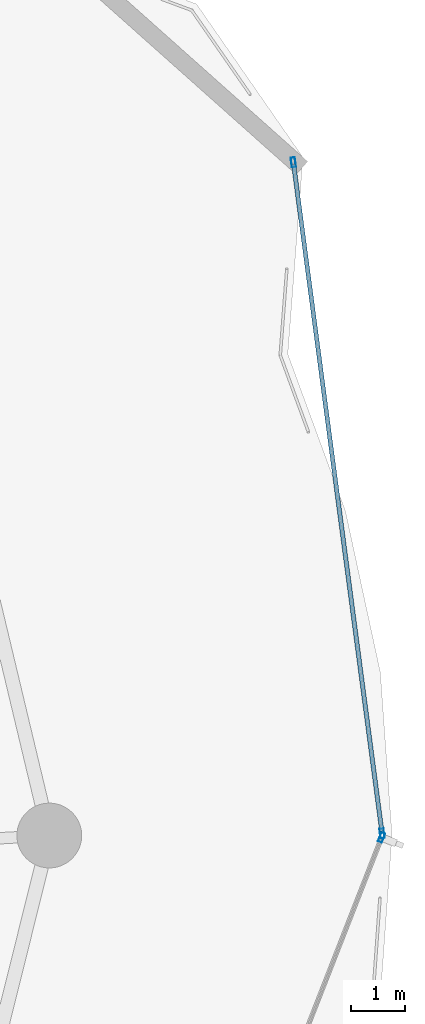
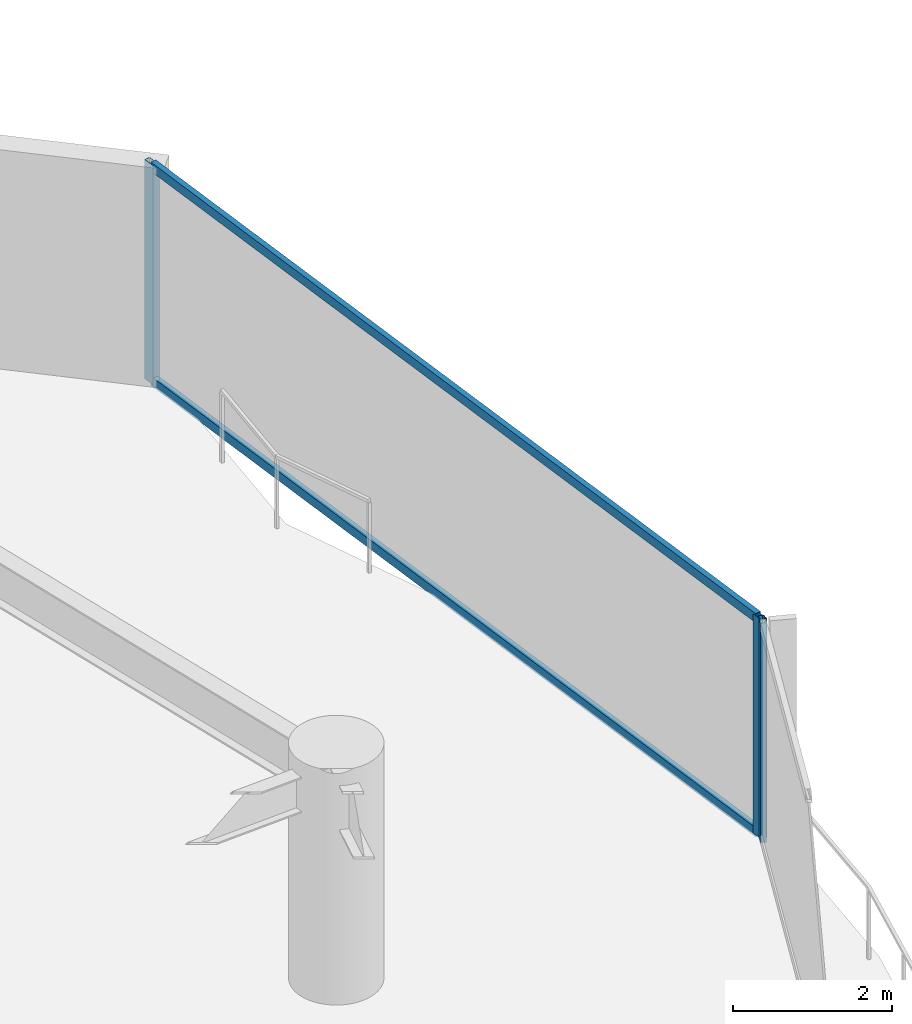
# One storey, part 24 of 33: 5 members, 2 elements without a shape of their own.
"""IFC4 building model written with IfcOpenShell, lengths in metres."""

from ifc_helpers import new_model, si_unit, direction, frame, origin, origin_2d, place, context, subcontext, project, spatial, hollow_rectangle, extrude, material, layer, layer_set, material_profile, profile_set, type_object, element, aggregate, save


model = new_model("IFC4")

# Units and contexts
model_context = context("Model", 3, precision=1e-05, world=origin(), true_north=direction((0.0, 1.0)))
body_context = subcontext(model_context, "Body", "Model", "MODEL_VIEW")
ifc_project = project(units=[si_unit("LENGTHUNIT", "METRE"), si_unit("AREAUNIT", "SQUARE_METRE"), si_unit("VOLUMEUNIT", "CUBIC_METRE"), si_unit("PLANEANGLEUNIT", "RADIAN"), si_unit("MASSUNIT", "GRAM", prefix="KILO")], contexts=[model_context])

# Site, building, storey
site_placement = place(None, origin())
site = spatial("IfcSite", under=ifc_project, at=site_placement, CompositionType="ELEMENT")
building_placement = place(site_placement, origin())
building = spatial("IfcBuilding", under=site, at=building_placement, Name="Kazevale Care Tower and Concert Hall", CompositionType="ELEMENT")
storey_placement = place(building_placement, frame((0.0, 0.0, 153.0)))
storey = spatial("IfcBuildingStorey", under=building, at=storey_placement, Name="L40", CompositionType="ELEMENT", Elevation=153.0)

# Curtain wall, member
ifc_material_1 = material(Name="Aluminium 6063-T6 and Low-E Glass", Category="aluminium")
ifc_layer = layer(ifc_material_1, 0.179931640625)
ifc_layer_set = layer_set([ifc_layer], Name="Aluminium 6063-T6 and Low-E Glass")
curtain_wall_type = type_object("IfcCurtainWallType", Name="Waist & Upper Residential Curtain Wall CW-4", PredefinedType="NOTDEFINED", material=ifc_layer_set)
curtain_wall_1_placement = place(storey_placement, origin())
curtain_wall_1 = element("IfcCurtainWall", 1, at=curtain_wall_1_placement, inside=storey, type_object=curtain_wall_type, Name="cw:L40:f01", PredefinedType="NOTDEFINED")
ifc_material_2 = material(Name="Aluminium 6063-T6", Category="aluminium")
ifc_material_profile_1 = material_profile(ifc_material_2, hollow_rectangle(XDim=0.080078125, YDim=0.179931640625, WallThickness=0.0048828125, at=origin_2d()), Name="ALU80x180x5")
ifc_profile_set_1 = profile_set([ifc_material_profile_1], Name="Aluminium 6063-T6")
member_type_1 = type_object("IfcMemberType", Name="CW-4 Mullion ALU80x180x5", PredefinedType="MULLION", material=ifc_profile_set_1)
member_1_placement = place(storey_placement, frame((79.205322265625, 37.962646484375, 0.0), z_axis=(0.0, 0.0, 1.0), x_axis=(0.931351746651, -0.36412075471, 0.0)))
member_1 = element("IfcMember", 2, at=member_1_placement, type_object=member_type_1, Name="CW-4 mullion 1", PredefinedType="MULLION", context=body_context, shape_type="SweptSolid", body=[
    extrude(hollow_rectangle(XDim=0.080078125, YDim=0.179931640625, WallThickness=0.0048828125, at=origin_2d()), origin(), (0.0, 0.0, 1.0), 3.360107421875),
])
aggregate(curtain_wall_1, [member_1])

# Curtain wall, members
curtain_wall_2_placement = place(storey_placement, origin())
curtain_wall_2 = element("IfcCurtainWall", 3, at=curtain_wall_2_placement, inside=storey, type_object=curtain_wall_type, Name="cw:L40:f18", PredefinedType="NOTDEFINED")
member_2_placement = place(storey_placement, frame((77.5712890625, 50.471435546875, 0.0), z_axis=(0.0, 0.0, 1.0), x_axis=(0.991374005382, 0.131063272711, 0.0)))
member_2 = element("IfcMember", 4, at=member_2_placement, type_object=member_type_1, Name="CW-4 mullion 1", PredefinedType="MULLION", context=body_context, shape_type="SweptSolid", body=[
    extrude(hollow_rectangle(XDim=0.080078125, YDim=0.179931640625, WallThickness=0.0048828125, at=origin_2d()), origin(), (0.0, 0.0, 1.0), 3.360107421875),
])
member_3_placement = place(storey_placement, frame((79.21484375, 38.03955078125, 0.0), z_axis=(0.0, 0.0, 1.0), x_axis=(0.991374005382, 0.131063272711, 0.0)))
member_3 = element("IfcMember", 5, at=member_3_placement, type_object=member_type_1, Name="CW-4 mullion 2", PredefinedType="MULLION", context=body_context, shape_type="SweptSolid", body=[
    extrude(hollow_rectangle(XDim=0.080078125, YDim=0.179931640625, WallThickness=0.0048828125, at=origin_2d()), origin(), (0.0, 0.0, 1.0), 3.360107421875),
])
ifc_material_profile_2 = material_profile(ifc_material_2, hollow_rectangle(XDim=0.080078125, YDim=0.139892578125, WallThickness=0.00390625, at=origin_2d()), Name="ALU80x140x4")
ifc_profile_set_2 = profile_set([ifc_material_profile_2], Name="Aluminium 6063-T6")
member_type_2 = type_object("IfcMemberType", Name="CW-4 Transom ALU80x140x4", PredefinedType="USERDEFINED", material=ifc_profile_set_2)
member_4_placement = place(storey_placement, frame((77.576416015625, 50.431640625, 0.0400390625), z_axis=(0.131066272735, -0.991373608763, 0.0), x_axis=(0.991373608763, 0.131066272735, 0.0)))
member_4 = element("IfcMember", 6, at=member_4_placement, type_object=member_type_2, Name="CW-4 transom 1.1", ObjectType="TRANSOM", PredefinedType="USERDEFINED", context=body_context, shape_type="SweptSolid", body=[
    extrude(hollow_rectangle(XDim=0.080078125, YDim=0.139892578125, WallThickness=0.00390625, at=origin_2d()), origin(), (0.0, 0.0, 1.0), 12.459716796875),
])
member_5_placement = place(storey_placement, frame((77.576416015625, 50.431640625, 3.320068359375), z_axis=(0.131066272735, -0.991373608763, 0.0), x_axis=(0.991373608763, 0.131066272735, 0.0)))
member_5 = element("IfcMember", 7, at=member_5_placement, type_object=member_type_2, Name="CW-4 transom 1.2", ObjectType="TRANSOM", PredefinedType="USERDEFINED", context=body_context, shape_type="SweptSolid", body=[
    extrude(hollow_rectangle(XDim=0.080078125, YDim=0.139892578125, WallThickness=0.00390625, at=origin_2d()), origin(), (0.0, 0.0, 1.0), 12.459716796875),
])
aggregate(curtain_wall_2, [member_2, member_3, member_4, member_5])

save(model, "model.ifc")
